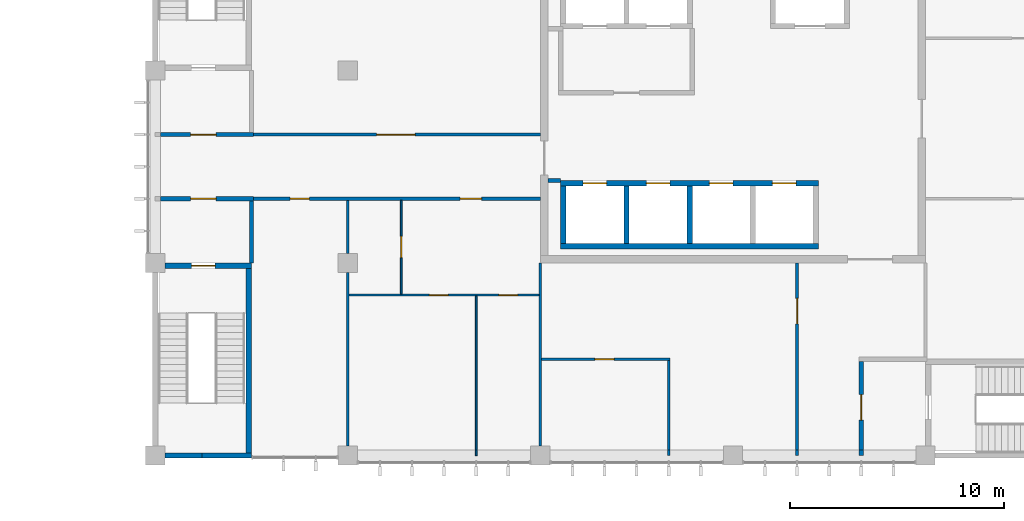
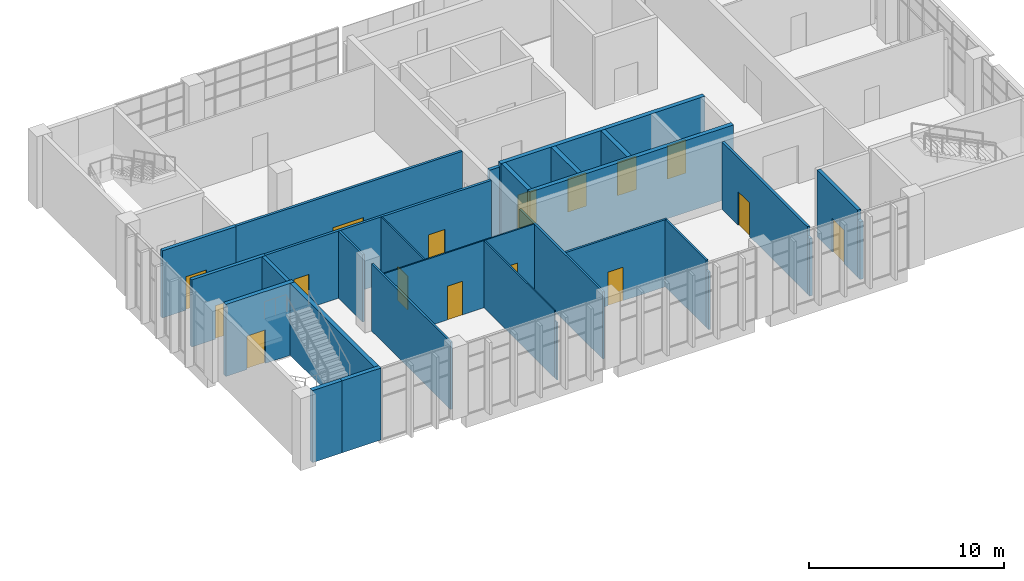
# One storey, part 58 of 79: 29 walls, 16 doors, 16 openings.
"""IFC4 building model written with IfcOpenShell, lengths in metres."""

import ifcopenshell
import ifcopenshell.guid

model = None  # the IFC model being written
_history = None  # IfcOwnerHistory: only IFC2X3 demands one
_inside = {}  # id of a spatial element -> (the spatial element, [elements in it])
_under = {}  # id of a project, library or spatial element -> (it, [spatial elements below it])
_declared = {}  # id of a project -> (the project, [libraries it declares])
_typed = {}  # id of a type object -> (the type object, [elements of that type])
_made_of = {}  # id of a material, layer set ... -> (it, [elements and type objects made of it])


def new_model(schema):
    """Start an empty IFC model of exactly this schema.

    Asked for "IFC4X3", IfcOpenShell would pick the latest addendum, in which some entities
    have other attributes; the version numbers below select the first issue.
    IFC2X3 requires an IfcOwnerHistory on every rooted entity: one is made here for all.
    """
    global model, _history
    if schema == "IFC4X3":
        model = ifcopenshell.file(schema_version=(4, 3, 0, 0))
    else:
        model = ifcopenshell.file(schema=schema)
    _inside.clear()
    _under.clear()
    _declared.clear()
    _typed.clear()
    _made_of.clear()
    _history = None
    if model.schema == "IFC2X3":
        org = make("IfcOrganization", Name="unknown")
        user = make(
            "IfcPersonAndOrganization",
            ThePerson=make("IfcPerson", FamilyName="unknown"),
            TheOrganization=org,
        )
        app = make(
            "IfcApplication",
            ApplicationDeveloper=org,
            Version="unknown",
            ApplicationFullName="unknown",
            ApplicationIdentifier="unknown",
        )
        _history = make(
            "IfcOwnerHistory",
            OwningUser=user,
            OwningApplication=app,
            ChangeAction="ADDED",
            CreationDate=0,
        )
    return model


def make(cls, **values):
    """One entity of the class cls with the attributes given. An attribute that is None is left unset."""
    return model.create_entity(
        cls, **{name: value for name, value in values.items() if value is not None}
    )


def rooted(cls, **values):
    """An entity with a GlobalId (a new one), such as an element, a storey or a relation."""
    return make(cls, GlobalId=ifcopenshell.guid.new(), OwnerHistory=_history, **values)


def si_unit(unit_type, name, prefix=None):
    """IfcSIUnit, for example si_unit("LENGTHUNIT", "METRE", prefix="MILLI")."""
    return make("IfcSIUnit", UnitType=unit_type, Prefix=prefix, Name=name)


def assignment(units):
    """IfcUnitAssignment: the units of a project."""
    return None if units is None else make("IfcUnitAssignment", Units=units)


def point(xyz):
    """IfcCartesianPoint."""
    return None if xyz is None else make("IfcCartesianPoint", Coordinates=xyz)


def direction(xyz):
    """IfcDirection."""
    return None if xyz is None else make("IfcDirection", DirectionRatios=xyz)


def frame(location, z_axis=None, x_axis=None):
    """IfcAxis2Placement3D, a coordinate frame: its origin and axes. An axis left out is left unset."""
    return make(
        "IfcAxis2Placement3D",
        Location=point(location),
        Axis=direction(z_axis),
        RefDirection=direction(x_axis),
    )


def frame_2d(location, x_axis=None):
    """IfcAxis2Placement2D, a coordinate frame in the plane: its origin and x axis."""
    return make(
        "IfcAxis2Placement2D", Location=point(location), RefDirection=direction(x_axis)
    )


def origin():
    """The frame at (0, 0, 0) with its axes left unset."""
    return frame((0.0, 0.0, 0.0))


def place(relative_to, where):
    """IfcLocalPlacement: puts the frame where relative to a parent placement (None: the world)."""
    return make(
        "IfcLocalPlacement", PlacementRelTo=relative_to, RelativePlacement=where
    )


def context(
    kind, dimensions, precision=None, world=None, true_north=None, identifier=None
):
    """IfcGeometricRepresentationContext, for example the 3D "Model" context."""
    return make(
        "IfcGeometricRepresentationContext",
        ContextIdentifier=identifier,
        ContextType=kind,
        CoordinateSpaceDimension=dimensions,
        Precision=precision,
        WorldCoordinateSystem=world,
        TrueNorth=true_north,
    )


def subcontext(parent, identifier, kind, view, scale=None):
    """IfcGeometricRepresentationSubContext, for example "Body" below "Model"."""
    return make(
        "IfcGeometricRepresentationSubContext",
        ContextIdentifier=identifier,
        ContextType=kind,
        ParentContext=parent,
        TargetScale=scale,
        TargetView=view,
    )


def project(units=None, contexts=None):
    """IfcProject with its units and contexts."""
    return rooted(
        "IfcProject",
        Name="project",
        RepresentationContexts=contexts,
        UnitsInContext=assignment(units),
    )


def spatial(cls, under=None, at=None, **own):
    """A site, building, storey or space (cls), placed at a placement, below another one or the project."""
    s = rooted(cls, ObjectPlacement=at, **own)
    if under is not None:
        _under.setdefault(under.id(), (under, []))[1].append(s)
    return s


def profile(cls, at=None, kind="AREA", **sizes):
    """A parametric profile (cls). Its sizes go by their IFC names, for example OverallWidth=200.0."""
    return make(cls, ProfileType=kind, Position=at, **sizes)


def rectangle(**sizes):
    """IfcRectangleProfileDef."""
    return profile("IfcRectangleProfileDef", **sizes)


def extrude(swept, where, along, depth):
    """IfcExtrudedAreaSolid: the profile swept, set in the frame where, extruded along a direction by depth."""
    return make(
        "IfcExtrudedAreaSolid",
        SweptArea=swept,
        Position=where,
        ExtrudedDirection=direction(along),
        Depth=depth,
    )


def shape(context_of_items, identifier, shape_type, items):
    """IfcShapeRepresentation: the items that make up one representation, for example the "Body"."""
    return make(
        "IfcShapeRepresentation",
        ContextOfItems=context_of_items,
        RepresentationIdentifier=identifier,
        RepresentationType=shape_type,
        Items=items,
    )


def material(Name=None, Category=None):
    """IfcMaterial."""
    return make("IfcMaterial", Name=Name, Category=Category)


def layer(
    of_material, thickness, ventilated=None, Name=None, Category=None, Priority=None
):
    """IfcMaterialLayer: one layer of a wall or slab, of a material (None: an air gap)."""
    return make(
        "IfcMaterialLayer",
        Material=of_material,
        LayerThickness=thickness,
        IsVentilated=ventilated,
        Name=Name,
        Category=Category,
        Priority=Priority,
    )


def layer_set(layers, Name=None):
    """IfcMaterialLayerSet."""
    return make("IfcMaterialLayerSet", MaterialLayers=layers, LayerSetName=Name)


def made_of(thing, what):
    """Note that an element or type object is made of a material, layer set ...; save() writes the relation."""
    if what is not None:
        _made_of.setdefault(what.id(), (what, []))[1].append(thing)
    return thing


def type_object(cls, material=None, **own):
    """A type object (cls), such as IfcWallType, which elements share."""
    return made_of(rooted(cls, **own), material)


def element(
    cls,
    number,
    at=None,
    inside=None,
    cuts=None,
    type_object=None,
    material=None,
    context=None,
    identifier="Body",
    shape_type=None,
    held_by="IfcProductDefinitionShape",
    body=None,
    shapes=None,
    **own,
):
    """One element of the class cls, such as IfcWall. Its Tag is "e" and its number.

    at: its placement. inside: the storey or other place that contains it. cuts: it is an
    opening in that element (IfcRelVoidsElement). A single representation is given by context,
    identifier, shape_type and body (its items); several are given by shapes. held_by: the class
    of the entity that holds the representations. save() writes the other relations.
    """
    e = rooted(cls, Tag="e%d" % number, ObjectPlacement=at, **own)
    if body is not None:
        shapes = [shape(context, identifier, shape_type, body)]
    if shapes is not None:
        e.Representation = make(held_by, Representations=shapes)
    if inside is not None:
        _inside.setdefault(inside.id(), (inside, []))[1].append(e)
    if cuts is not None:
        rooted(
            "IfcRelVoidsElement", RelatingBuildingElement=cuts, RelatedOpeningElement=e
        )
    if type_object is not None:
        _typed.setdefault(type_object.id(), (type_object, []))[1].append(e)
    return made_of(e, material)


def fill(opening, filler):
    """IfcRelFillsElement: the door or window that sits in an opening."""
    return rooted(
        "IfcRelFillsElement",
        RelatingOpeningElement=opening,
        RelatedBuildingElement=filler,
    )


def aggregate(whole, parts):
    """IfcRelAggregates: a whole, such as a stair, and the parts it consists of."""
    return rooted("IfcRelAggregates", RelatingObject=whole, RelatedObjects=parts)


def save(model, path):
    """Write the relations noted so far, then the file.

    IfcRelAggregates (storeys below a building ...), IfcRelContainedInSpatialStructure (elements
    in a storey), IfcRelDefinesByType, IfcRelAssociatesMaterial and IfcRelDeclares: one each for
    every whole, place, type object, material and project.
    """
    for whole, parts in _under.values():
        aggregate(whole, parts)
    for where, things in _inside.values():
        rooted(
            "IfcRelContainedInSpatialStructure",
            RelatedElements=things,
            RelatingStructure=where,
        )
    for kind, things in _typed.values():
        rooted("IfcRelDefinesByType", RelatedObjects=things, RelatingType=kind)
    for what, things in _made_of.values():
        rooted("IfcRelAssociatesMaterial", RelatedObjects=things, RelatingMaterial=what)
    for by, libraries in _declared.values():
        rooted("IfcRelDeclares", RelatingContext=by, RelatedDefinitions=libraries)
    model.write(path)


model = new_model("IFC4")

# Units and contexts
model_context = context("Model", 3, precision=1e-05, world=origin(), true_north=direction((0.0, 1.0)))
body_context = subcontext(model_context, "Body", "Model", "MODEL_VIEW")
ifc_project = project(units=[si_unit("LENGTHUNIT", "METRE"), si_unit("AREAUNIT", "SQUARE_METRE"), si_unit("VOLUMEUNIT", "CUBIC_METRE"), si_unit("PLANEANGLEUNIT", "RADIAN"), si_unit("MASSUNIT", "GRAM", prefix="KILO")], contexts=[model_context])

# Site, building, storey
site_placement = place(None, origin())
site = spatial("IfcSite", under=ifc_project, at=site_placement, CompositionType="ELEMENT")
building_placement = place(site_placement, origin())
building = spatial("IfcBuilding", under=site, at=building_placement, Name="Guidao Yard Department Store", CompositionType="ELEMENT")
storey_placement = place(building_placement, frame((0.0, 0.0, 15.0)))
storey = spatial("IfcBuildingStorey", under=building, at=storey_placement, Name="L03", CompositionType="ELEMENT", Elevation=15.0)

# Wall, openings, doors
ifc_material_1 = material(Name="Gypsum Board")
ifc_layer_1 = layer(ifc_material_1, 0.14990234375)
ifc_layer_set_1 = layer_set([ifc_layer_1], Name="Corridor Partition 150 Gypsum Board EI 60")
wall_type_1 = type_object("IfcWallType", Name="Corridor Partition 150 Gypsum Board EI 60", PredefinedType="PARTITIONING", material=ifc_layer_set_1)
wall_1_placement = place(storey_placement, frame((130.39990234375, 12.0, 0.0), z_axis=(0.0, 0.0, 1.0), x_axis=(1.0, 0.0, 0.0)))
wall_1 = element("IfcWall", 1, at=wall_1_placement, inside=storey, type_object=wall_type_1, Name="pt.wall.L03.0006", PredefinedType="PARTITIONING", context=body_context, shape_type="SweptSolid", body=[
    extrude(rectangle(XDim=13.60009765625, YDim=0.14990234375, at=frame_2d((6.800048828125, 0.0))), origin(), (0.0, 0.0, 1.0), 4.199951171875),
])
opening_1_placement = place(wall_1_placement, frame((10.85009765625, 0.0, 0.0), z_axis=(0.0, 0.0, 1.0), x_axis=(-1.0, 0.0, 0.0)))
opening_1 = element("IfcOpeningElement", 2, at=opening_1_placement, cuts=wall_1, Name="Opening L03-407", PredefinedType="OPENING", context=body_context, shape_type="SweptSolid", body=[
    extrude(rectangle(XDim=1.0, YDim=2.10009765625, at=frame_2d((0.5, 1.050048828125))), frame((0.0, 0.0849609375, 0.0), z_axis=(0.0, -1.0, 0.0), x_axis=(1.0, 0.0, 0.0)), (0.0, 0.0, 1.0), 0.169921875),
])
opening_2_placement = place(wall_1_placement, frame((2.7998046875, 0.0, 0.0), z_axis=(0.0, 0.0, 1.0), x_axis=(-1.0, 0.0, 0.0)))
opening_2 = element("IfcOpeningElement", 3, at=opening_2_placement, cuts=wall_1, Name="Opening L03-411", PredefinedType="OPENING", context=body_context, shape_type="SweptSolid", body=[
    extrude(rectangle(XDim=0.89990234375, YDim=2.10009765625, at=frame_2d((0.449951171875, 1.050048828125))), frame((0.0, 0.0849609375, 0.0), z_axis=(0.0, -1.0, 0.0), x_axis=(1.0, 0.0, 0.0)), (0.0, 0.0, 1.0), 0.169921875),
])
ifc_material_2 = material(Name="Timber door leaf with Steel Q235 frame", Category="steel")
door_type_1 = type_object("IfcDoorType", Name="Door 1000 x 2100 FD30 Single Leaf", OperationType="SINGLE_SWING_LEFT", PredefinedType="DOOR", material=ifc_material_2)
door_1_placement = place(opening_1_placement, origin())
door_1 = element("IfcDoor", 4, at=door_1_placement, inside=storey, type_object=door_type_1, Name="Door L03-407", OperationType="SINGLE_SWING_LEFT", OverallHeight=2.10009765625, OverallWidth=1.0, PredefinedType="DOOR", context=body_context, shape_type="SweptSolid", body=[
    extrude(rectangle(XDim=1.0, YDim=2.10009765625, at=frame_2d((0.5, 1.050048828125))), frame((0.0, 0.02490234375, 0.0), z_axis=(0.0, -1.0, 0.0), x_axis=(1.0, 0.0, 0.0)), (0.0, 0.0, 1.0), 0.050048828125),
])
fill(opening_1, door_1)
ifc_material_3 = material(Name="Timber door leaf with Steel Q235 frame", Category="steel")
door_type_2 = type_object("IfcDoorType", Name="Door 900 x 2100 FD30 Single Leaf", OperationType="SINGLE_SWING_LEFT", PredefinedType="DOOR", material=ifc_material_3)
door_2_placement = place(opening_2_placement, origin())
door_2 = element("IfcDoor", 5, at=door_2_placement, inside=storey, type_object=door_type_2, Name="Door L03-411", OperationType="SINGLE_SWING_RIGHT", OverallHeight=2.10009765625, OverallWidth=0.89990234375, PredefinedType="DOOR", context=body_context, shape_type="SweptSolid", body=[
    extrude(rectangle(XDim=0.89990234375, YDim=2.10009765625, at=frame_2d((0.449951171875, 1.050048828125))), frame((0.0, 0.02490234375, 0.0), z_axis=(0.0, -1.0, 0.0), x_axis=(1.0, 0.0, 0.0)), (0.0, 0.0, 1.0), 0.050048828125),
])
fill(opening_2, door_2)

# Wall, opening, door
wall_2_placement = place(storey_placement, frame((130.39990234375, 15.0, 0.0), z_axis=(0.0, 0.0, 1.0), x_axis=(1.0, 0.0, 0.0)))
wall_2 = element("IfcWall", 6, at=wall_2_placement, inside=storey, type_object=wall_type_1, Name="pt.wall.L03.0010", PredefinedType="PARTITIONING", context=body_context, shape_type="SweptSolid", body=[
    extrude(rectangle(XDim=13.60009765625, YDim=0.14990234375, at=frame_2d((6.800048828125, 0.0))), origin(), (0.0, 0.0, 1.0), 4.199951171875),
])
opening_3_placement = place(wall_2_placement, frame((5.949951171875, 0.0, 0.0)))
opening_3 = element("IfcOpeningElement", 7, at=opening_3_placement, cuts=wall_2, Name="Opening L03-412", PredefinedType="OPENING", context=body_context, shape_type="SweptSolid", body=[
    extrude(rectangle(XDim=1.800048828125, YDim=2.10009765625, at=frame_2d((0.89990234375, 1.050048828125))), frame((0.0, 0.0849609375, 0.0), z_axis=(0.0, -1.0, 0.0), x_axis=(1.0, 0.0, 0.0)), (0.0, 0.0, 1.0), 0.169921875),
])
ifc_material_4 = material(Name="Timber door leaf with Steel Q235 frame", Category="steel")
door_type_3 = type_object("IfcDoorType", Name="Door 1800 x 2100 FD30 Double Leaf", OperationType="DOUBLE_DOOR_SINGLE_SWING", PredefinedType="DOOR", material=ifc_material_4)
door_3_placement = place(opening_3_placement, origin())
door_3 = element("IfcDoor", 8, at=door_3_placement, inside=storey, type_object=door_type_3, Name="Door L03-412", OperationType="DOUBLE_DOOR_SINGLE_SWING", OverallHeight=2.10009765625, OverallWidth=1.800048828125, PredefinedType="DOOR", context=body_context, shape_type="SweptSolid", body=[
    extrude(rectangle(XDim=1.800048828125, YDim=2.10009765625, at=frame_2d((0.89990234375, 1.050048828125))), frame((0.0, 0.02490234375, 0.0), z_axis=(0.0, -1.0, 0.0), x_axis=(1.0, 0.0, 0.0)), (0.0, 0.0, 1.0), 0.050048828125),
])
fill(opening_3, door_3)

# Wall
wall_3_placement = place(storey_placement, frame((156.0, 0.0, 0.0), z_axis=(0.0, 0.0, 1.0), x_axis=(0.0, 1.0, 0.0)))
element("IfcWall", 9, at=wall_3_placement, inside=storey, type_object=wall_type_1, Name="pt.wall.L03.0027", PredefinedType="PARTITIONING", context=body_context, shape_type="SweptSolid", body=[
    extrude(rectangle(XDim=0.25, YDim=0.14990234375, at=frame_2d((0.125, 0.0))), origin(), (0.0, 0.0, 1.0), 3.60009765625),
])

# Wall, opening, door
wall_4_placement = place(storey_placement, frame((156.0, 0.25, 0.0), z_axis=(0.0, 0.0, 1.0), x_axis=(0.0, 1.0, 0.0)))
wall_4 = element("IfcWall", 10, at=wall_4_placement, inside=storey, type_object=wall_type_1, Name="pt.wall.L03.0027a", PredefinedType="PARTITIONING", context=body_context, shape_type="SweptSolid", body=[
    extrude(rectangle(XDim=8.75, YDim=0.14990234375, at=frame_2d((4.375, 0.0))), origin(), (0.0, 0.0, 1.0), 4.199951171875),
])
opening_4_placement = place(wall_4_placement, frame((5.89990234375, 0.0, 0.0)))
opening_4 = element("IfcOpeningElement", 11, at=opening_4_placement, cuts=wall_4, Name="Opening L03-414", PredefinedType="OPENING", context=body_context, shape_type="SweptSolid", body=[
    extrude(rectangle(XDim=1.199951171875, YDim=2.10009765625, at=frame_2d((0.60009765625, 1.050048828125))), frame((0.0, 0.0849609375, 0.0), z_axis=(0.0, -1.0, 0.0), x_axis=(1.0, 0.0, 0.0)), (0.0, 0.0, 1.0), 0.169921875),
])
ifc_material_5 = material(Name="Timber door leaf with Steel Q235 frame", Category="steel")
door_type_4 = type_object("IfcDoorType", Name="Door 1200 x 2100 FD30 Single Leaf", OperationType="SINGLE_SWING_LEFT", PredefinedType="DOOR", material=ifc_material_5)
door_4_placement = place(opening_4_placement, origin())
door_4 = element("IfcDoor", 12, at=door_4_placement, inside=storey, type_object=door_type_4, Name="Door L03-414", OperationType="SINGLE_SWING_RIGHT", OverallHeight=2.10009765625, OverallWidth=1.199951171875, PredefinedType="DOOR", context=body_context, shape_type="SweptSolid", body=[
    extrude(rectangle(XDim=1.199951171875, YDim=2.10009765625, at=frame_2d((0.60009765625, 1.050048828125))), frame((0.0, 0.02490234375, 0.0), z_axis=(0.0, -1.0, 0.0), x_axis=(1.0, 0.0, 0.0)), (0.0, 0.0, 1.0), 0.050048828125),
])
fill(opening_4, door_4)

ifc_material_6 = material(Name="Gypsum Board")
ifc_layer_2 = layer(ifc_material_6, 0.1201171875)
ifc_layer_set_2 = layer_set([ifc_layer_2], Name="Partition 120 Gypsum Board EI 45")
wall_type_2 = type_object("IfcWallType", Name="Partition 120 Gypsum Board EI 45", PredefinedType="PARTITIONING", material=ifc_layer_set_2)
wall_5_placement = place(storey_placement, frame((144.06005859375, 4.5, 0.0), z_axis=(0.0, 0.0, 1.0), x_axis=(1.0, 0.0, 0.0)))
wall_5 = element("IfcWall", 13, at=wall_5_placement, inside=storey, type_object=wall_type_2, Name="pt.wall.L03.0001", PredefinedType="PARTITIONING", context=body_context, shape_type="SweptSolid", body=[
    extrude(rectangle(XDim=6.0, YDim=0.1201171875, at=frame_2d((3.0, 0.0))), origin(), (0.0, 0.0, 1.0), 4.199951171875),
])
opening_5_placement = place(wall_5_placement, frame((3.389892578125, 0.0, 0.0), z_axis=(0.0, 0.0, 1.0), x_axis=(-1.0, 0.0, 0.0)))
opening_5 = element("IfcOpeningElement", 14, at=opening_5_placement, cuts=wall_5, Name="Opening L03-415", PredefinedType="OPENING", context=body_context, shape_type="SweptSolid", body=[
    extrude(rectangle(XDim=0.89990234375, YDim=2.10009765625, at=frame_2d((0.449951171875, 1.050048828125))), frame((0.0, 0.070068359375, 0.0), z_axis=(0.0, -1.0, 0.0), x_axis=(1.0, 0.0, 0.0)), (0.0, 0.0, 1.0), 0.14013671875),
])
ifc_material_7 = material(Name="Timber door leaf with Steel Q235 frame", Category="steel")
door_type_5 = type_object("IfcDoorType", Name="Door 900 x 2100 NOT RATED Single Leaf", OperationType="SINGLE_SWING_LEFT", PredefinedType="DOOR", material=ifc_material_7)
door_5_placement = place(opening_5_placement, origin())
door_5 = element("IfcDoor", 15, at=door_5_placement, inside=storey, type_object=door_type_5, Name="Door L03-415", OperationType="SINGLE_SWING_RIGHT", OverallHeight=2.10009765625, OverallWidth=0.89990234375, PredefinedType="DOOR", context=body_context, shape_type="SweptSolid", body=[
    extrude(rectangle(XDim=0.89990234375, YDim=2.10009765625, at=frame_2d((0.449951171875, 1.050048828125))), frame((0.0, 0.02490234375, 0.0), z_axis=(0.0, -1.0, 0.0), x_axis=(1.0, 0.0, 0.0)), (0.0, 0.0, 1.0), 0.050048828125),
])
fill(opening_5, door_5)

# Walls
wall_6_placement = place(storey_placement, frame((135.0, 0.449951171875, 0.0), z_axis=(0.0, 0.0, 1.0), x_axis=(0.0, 1.0, 0.0)))
element("IfcWall", 16, at=wall_6_placement, inside=storey, type_object=wall_type_2, Name="pt.wall.L03.0018", PredefinedType="PARTITIONING", context=body_context, shape_type="SweptSolid", body=[
    extrude(rectangle(XDim=8.10009765625, YDim=0.1201171875, at=frame_2d((4.050048828125, 0.0))), origin(), (0.0, 0.0, 1.0), 4.199951171875),
])
wall_7_placement = place(storey_placement, frame((135.0, 9.449951171875, 0.0), z_axis=(0.0, 0.0, 1.0), x_axis=(0.0, 1.0, 0.0)))
element("IfcWall", 17, at=wall_7_placement, inside=storey, type_object=wall_type_2, Name="pt.wall.L03.0019", PredefinedType="PARTITIONING", context=body_context, shape_type="SweptSolid", body=[
    extrude(rectangle(XDim=2.47509765625, YDim=0.1201171875, at=frame_2d((1.237548828125, 0.0))), origin(), (0.0, 0.0, 1.0), 4.199951171875),
])
wall_8_placement = place(storey_placement, frame((144.0, 0.449951171875, 0.0), z_axis=(0.0, 0.0, 1.0), x_axis=(0.0, 1.0, 0.0)))
element("IfcWall", 18, at=wall_8_placement, inside=storey, type_object=wall_type_2, Name="pt.wall.L03.0022", PredefinedType="PARTITIONING", context=body_context, shape_type="SweptSolid", body=[
    extrude(rectangle(XDim=8.550048828125, YDim=0.1201171875, at=frame_2d((4.27490234375, 0.0))), origin(), (0.0, 0.0, 1.0), 4.199951171875),
])
wall_9_placement = place(storey_placement, frame((150.0, 0.0, 0.0), z_axis=(0.0, 0.0, 1.0), x_axis=(0.0, 1.0, 0.0)))
element("IfcWall", 19, at=wall_9_placement, inside=storey, type_object=wall_type_2, Name="pt.wall.L03.0025", PredefinedType="PARTITIONING", context=body_context, shape_type="SweptSolid", body=[
    extrude(rectangle(XDim=0.25, YDim=0.1201171875, at=frame_2d((0.125, 0.0))), origin(), (0.0, 0.0, 1.0), 3.60009765625),
])
wall_10_placement = place(storey_placement, frame((150.0, 0.25, 0.0), z_axis=(0.0, 0.0, 1.0), x_axis=(0.0, 1.0, 0.0)))
element("IfcWall", 20, at=wall_10_placement, inside=storey, type_object=wall_type_2, Name="pt.wall.L03.0025a", PredefinedType="PARTITIONING", context=body_context, shape_type="SweptSolid", body=[
    extrude(rectangle(XDim=4.18994140625, YDim=0.1201171875, at=frame_2d((2.094970703125, 0.0))), origin(), (0.0, 0.0, 1.0), 4.199951171875),
])

# Wall, openings, doors
ifc_material_8 = material(Name="Gypsum Board")
ifc_layer_3 = layer(ifc_material_8, 0.080078125)
ifc_layer_set_3 = layer_set([ifc_layer_3], Name="Sanitary Partition 80 Gypsum Board EI 45")
wall_type_3 = type_object("IfcWallType", Name="Sanitary Partition 80 Gypsum Board EI 45", PredefinedType="PARTITIONING", material=ifc_layer_set_3)
wall_11_placement = place(storey_placement, frame((135.06005859375, 7.5, 0.0), z_axis=(0.0, 0.0, 1.0), x_axis=(1.0, 0.0, 0.0)))
wall_11 = element("IfcWall", 21, at=wall_11_placement, inside=storey, type_object=wall_type_3, Name="pt.wall.L03.0003", PredefinedType="PARTITIONING", context=body_context, shape_type="SweptSolid", body=[
    extrude(rectangle(XDim=8.8798828125, YDim=0.080078125, at=frame_2d((4.43994140625, 0.0))), origin(), (0.0, 0.0, 1.0), 4.199951171875),
])
opening_6_placement = place(wall_11_placement, frame((4.639892578125, 0.0, 0.0), z_axis=(0.0, 0.0, 1.0), x_axis=(-1.0, 0.0, 0.0)))
opening_6 = element("IfcOpeningElement", 22, at=opening_6_placement, cuts=wall_11, Name="Opening L03-409", PredefinedType="OPENING", context=body_context, shape_type="SweptSolid", body=[
    extrude(rectangle(XDim=0.89990234375, YDim=2.10009765625, at=frame_2d((0.449951171875, 1.050048828125))), frame((0.0, 0.050048828125, 0.0), z_axis=(0.0, -1.0, 0.0), x_axis=(1.0, 0.0, 0.0)), (0.0, 0.0, 1.0), 0.10009765625),
])
opening_7_placement = place(wall_11_placement, frame((7.889892578125, 0.0, 0.0), z_axis=(0.0, 0.0, 1.0), x_axis=(-1.0, 0.0, 0.0)))
opening_7 = element("IfcOpeningElement", 23, at=opening_7_placement, cuts=wall_11, Name="Opening L03-410", PredefinedType="OPENING", context=body_context, shape_type="SweptSolid", body=[
    extrude(rectangle(XDim=0.89990234375, YDim=2.10009765625, at=frame_2d((0.449951171875, 1.050048828125))), frame((0.0, 0.050048828125, 0.0), z_axis=(0.0, -1.0, 0.0), x_axis=(1.0, 0.0, 0.0)), (0.0, 0.0, 1.0), 0.10009765625),
])
door_6_placement = place(opening_6_placement, origin())
door_6 = element("IfcDoor", 24, at=door_6_placement, inside=storey, type_object=door_type_5, Name="Door L03-409", OperationType="SINGLE_SWING_RIGHT", OverallHeight=2.10009765625, OverallWidth=0.89990234375, PredefinedType="DOOR", context=body_context, shape_type="SweptSolid", body=[
    extrude(rectangle(XDim=0.89990234375, YDim=2.10009765625, at=frame_2d((0.449951171875, 1.050048828125))), frame((0.0, 0.02490234375, 0.0), z_axis=(0.0, -1.0, 0.0), x_axis=(1.0, 0.0, 0.0)), (0.0, 0.0, 1.0), 0.050048828125),
])
fill(opening_6, door_6)
door_7_placement = place(opening_7_placement, origin())
door_7 = element("IfcDoor", 25, at=door_7_placement, inside=storey, type_object=door_type_5, Name="Door L03-410", OperationType="SINGLE_SWING_LEFT", OverallHeight=2.10009765625, OverallWidth=0.89990234375, PredefinedType="DOOR", context=body_context, shape_type="SweptSolid", body=[
    extrude(rectangle(XDim=0.89990234375, YDim=2.10009765625, at=frame_2d((0.449951171875, 1.050048828125))), frame((0.0, 0.02490234375, 0.0), z_axis=(0.0, -1.0, 0.0), x_axis=(1.0, 0.0, 0.0)), (0.0, 0.0, 1.0), 0.050048828125),
])
fill(opening_7, door_7)

# Wall, opening, door
wall_12_placement = place(storey_placement, frame((137.5, 7.5400390625, 0.0), z_axis=(0.0, 0.0, 1.0), x_axis=(0.0, 1.0, 0.0)))
wall_12 = element("IfcWall", 26, at=wall_12_placement, inside=storey, type_object=wall_type_3, Name="pt.wall.L03.0020", PredefinedType="PARTITIONING", context=body_context, shape_type="SweptSolid", body=[
    extrude(rectangle(XDim=4.385009765625, YDim=0.080078125, at=frame_2d((2.1923828125, 0.0))), origin(), (0.0, 0.0, 1.0), 4.199951171875),
])
opening_8_placement = place(wall_12_placement, frame((1.7099609375, 0.0, 0.0)))
opening_8 = element("IfcOpeningElement", 27, at=opening_8_placement, cuts=wall_12, Name="Opening L03-408", PredefinedType="OPENING", context=body_context, shape_type="SweptSolid", body=[
    extrude(rectangle(XDim=1.0, YDim=2.10009765625, at=frame_2d((0.5, 1.050048828125))), frame((0.0, 0.050048828125, 0.0), z_axis=(0.0, -1.0, 0.0), x_axis=(1.0, 0.0, 0.0)), (0.0, 0.0, 1.0), 0.10009765625),
])
ifc_material_9 = material(Name="Timber door leaf with Steel Q235 frame", Category="steel")
door_type_6 = type_object("IfcDoorType", Name="Door 1000 x 2100 NOT RATED Single Leaf", OperationType="SINGLE_SWING_LEFT", PredefinedType="DOOR", material=ifc_material_9)
door_8_placement = place(opening_8_placement, origin())
door_8 = element("IfcDoor", 28, at=door_8_placement, inside=storey, type_object=door_type_6, Name="Door L03-408", OperationType="SINGLE_SWING_RIGHT", OverallHeight=2.10009765625, OverallWidth=1.0, PredefinedType="DOOR", context=body_context, shape_type="SweptSolid", body=[
    extrude(rectangle(XDim=1.0, YDim=2.10009765625, at=frame_2d((0.5, 1.050048828125))), frame((0.0, 0.02490234375, 0.0), z_axis=(0.0, -1.0, 0.0), x_axis=(1.0, 0.0, 0.0)), (0.0, 0.0, 1.0), 0.050048828125),
])
fill(opening_8, door_8)

# Walls
wall_13_placement = place(storey_placement, frame((141.0, 0.0, 0.0), z_axis=(0.0, 0.0, 1.0), x_axis=(0.0, 1.0, 0.0)))
element("IfcWall", 29, at=wall_13_placement, inside=storey, type_object=wall_type_3, Name="pt.wall.L03.0021", PredefinedType="PARTITIONING", context=body_context, shape_type="SweptSolid", body=[
    extrude(rectangle(XDim=0.25, YDim=0.080078125, at=frame_2d((0.125, 0.0))), origin(), (0.0, 0.0, 1.0), 3.60009765625),
])
wall_14_placement = place(storey_placement, frame((141.0, 0.25, 0.0), z_axis=(0.0, 0.0, 1.0), x_axis=(0.0, 1.0, 0.0)))
element("IfcWall", 30, at=wall_14_placement, inside=storey, type_object=wall_type_3, Name="pt.wall.L03.0021a", PredefinedType="PARTITIONING", context=body_context, shape_type="SweptSolid", body=[
    extrude(rectangle(XDim=7.2099609375, YDim=0.080078125, at=frame_2d((3.60498046875, 0.0))), origin(), (0.0, 0.0, 1.0), 4.199951171875),
])

# Wall, opening, door
ifc_material_10 = material(Name="Autoclaved aerated concrete block A3.5 B06", Category="concrete")
ifc_layer_4 = layer(ifc_material_10, 0.199951171875)
ifc_layer_set_4 = layer_set([ifc_layer_4], Name="Shaft Wall 200 Autoclaved Block EI 120")
wall_type_4 = type_object("IfcWallType", Name="Shaft Wall 200 Autoclaved Block EI 120", PredefinedType="PARTITIONING", material=ifc_layer_set_4)
wall_15_placement = place(storey_placement, frame((126.25, 12.0, 0.0), z_axis=(0.0, 0.0, 1.0), x_axis=(1.0, 0.0, 0.0)))
wall_15 = element("IfcWall", 31, at=wall_15_placement, inside=storey, type_object=wall_type_4, Name="pt.wall.L03.0005a", PredefinedType="PARTITIONING", context=body_context, shape_type="SweptSolid", body=[
    extrude(rectangle(XDim=4.35009765625, YDim=0.199951171875, at=frame_2d((2.175048828125, 0.0))), origin(), (0.0, 0.0, 1.0), 4.199951171875),
])
opening_9_placement = place(wall_15_placement, frame((2.599853515625, 0.0, 0.0), z_axis=(0.0, 0.0, 1.0), x_axis=(-1.0, 0.0, 0.0)))
opening_9 = element("IfcOpeningElement", 32, at=opening_9_placement, cuts=wall_15, Name="Opening L03-401", PredefinedType="OPENING", context=body_context, shape_type="SweptSolid", body=[
    extrude(rectangle(XDim=1.199951171875, YDim=2.10009765625, at=frame_2d((0.60009765625, 1.050048828125))), frame((0.0, 0.10986328125, 0.0), z_axis=(0.0, -1.0, 0.0), x_axis=(1.0, 0.0, 0.0)), (0.0, 0.0, 1.0), 0.219970703125),
])
ifc_material_11 = material(Name="Timber door leaf with Steel Q235 frame", Category="steel")
door_type_7 = type_object("IfcDoorType", Name="Door 1200 x 2100 FD60 Single Leaf", OperationType="SINGLE_SWING_LEFT", PredefinedType="DOOR", material=ifc_material_11)
door_9_placement = place(opening_9_placement, origin())
door_9 = element("IfcDoor", 33, at=door_9_placement, inside=storey, type_object=door_type_7, Name="Door L03-401", OperationType="SINGLE_SWING_RIGHT", OverallHeight=2.10009765625, OverallWidth=1.199951171875, PredefinedType="DOOR", context=body_context, shape_type="SweptSolid", body=[
    extrude(rectangle(XDim=1.199951171875, YDim=2.10009765625, at=frame_2d((0.60009765625, 1.050048828125))), frame((0.0, 0.02490234375, 0.0), z_axis=(0.0, -1.0, 0.0), x_axis=(1.0, 0.0, 0.0)), (0.0, 0.0, 1.0), 0.050048828125),
])
fill(opening_9, door_9)

# Wall
wall_16_placement = place(storey_placement, frame((144.35009765625, 12.85009765625, 0.0), z_axis=(0.0, 0.0, 1.0), x_axis=(1.0, 0.0, 0.0)))
element("IfcWall", 34, at=wall_16_placement, inside=storey, type_object=wall_type_4, Name="pt.wall.L03.0008", PredefinedType="PARTITIONING", context=body_context, shape_type="SweptSolid", body=[
    extrude(rectangle(XDim=0.599853515625, YDim=0.199951171875, at=frame_2d((0.2998046875, 0.0))), origin(), (0.0, 0.0, 1.0), 4.199951171875),
])

# Wall, opening, door
wall_17_placement = place(storey_placement, frame((126.25, 15.0, 0.0), z_axis=(0.0, 0.0, 1.0), x_axis=(1.0, 0.0, 0.0)))
wall_17 = element("IfcWall", 35, at=wall_17_placement, inside=storey, type_object=wall_type_4, Name="pt.wall.L03.0009a", PredefinedType="PARTITIONING", context=body_context, shape_type="SweptSolid", body=[
    extrude(rectangle(XDim=4.35009765625, YDim=0.199951171875, at=frame_2d((2.175048828125, 0.0))), origin(), (0.0, 0.0, 1.0), 4.199951171875),
])
opening_10_placement = place(wall_17_placement, frame((1.39990234375, 0.0, 0.0)))
opening_10 = element("IfcOpeningElement", 36, at=opening_10_placement, cuts=wall_17, Name="Opening L03-403", PredefinedType="OPENING", context=body_context, shape_type="SweptSolid", body=[
    extrude(rectangle(XDim=1.199951171875, YDim=2.10009765625, at=frame_2d((0.60009765625, 1.050048828125))), frame((0.0, 0.10986328125, 0.0), z_axis=(0.0, -1.0, 0.0), x_axis=(1.0, 0.0, 0.0)), (0.0, 0.0, 1.0), 0.219970703125),
])
door_10_placement = place(opening_10_placement, origin())
door_10 = element("IfcDoor", 37, at=door_10_placement, inside=storey, type_object=door_type_7, Name="Door L03-403", OperationType="SINGLE_SWING_LEFT", OverallHeight=2.10009765625, OverallWidth=1.199951171875, PredefinedType="DOOR", context=body_context, shape_type="SweptSolid", body=[
    extrude(rectangle(XDim=1.199951171875, YDim=2.10009765625, at=frame_2d((0.60009765625, 1.050048828125))), frame((0.0, 0.02490234375, 0.0), z_axis=(0.0, -1.0, 0.0), x_axis=(1.0, 0.0, 0.0)), (0.0, 0.0, 1.0), 0.050048828125),
])
fill(opening_10, door_10)

# Walls
wall_18_placement = place(storey_placement, frame((130.5, 9.0, 0.0), z_axis=(0.0, 0.0, 1.0), x_axis=(0.0, 1.0, 0.0)))
element("IfcWall", 38, at=wall_18_placement, inside=storey, type_object=wall_type_4, Name="pt.wall.L03.0016", PredefinedType="PARTITIONING", context=body_context, shape_type="SweptSolid", body=[
    extrude(rectangle(XDim=2.89990234375, YDim=0.199951171875, at=frame_2d((1.449951171875, 0.0))), origin(), (0.0, 0.0, 1.0), 4.199951171875),
])
wall_19_placement = place(storey_placement, frame((159.0, 0.0, 0.0), z_axis=(0.0, 0.0, 1.0), x_axis=(0.0, 1.0, 0.0)))
element("IfcWall", 39, at=wall_19_placement, inside=storey, type_object=wall_type_4, Name="pt.wall.L03.0028", PredefinedType="PARTITIONING", context=body_context, shape_type="SweptSolid", body=[
    extrude(rectangle(XDim=0.25, YDim=0.199951171875, at=frame_2d((0.125, 0.0))), origin(), (0.0, 0.0, 1.0), 3.60009765625),
])

# Wall, opening, door
wall_20_placement = place(storey_placement, frame((159.0, 0.25, 0.0), z_axis=(0.0, 0.0, 1.0), x_axis=(0.0, 1.0, 0.0)))
wall_20 = element("IfcWall", 40, at=wall_20_placement, inside=storey, type_object=wall_type_4, Name="pt.wall.L03.0028a", PredefinedType="PARTITIONING", context=body_context, shape_type="SweptSolid", body=[
    extrude(rectangle(XDim=4.14990234375, YDim=0.199951171875, at=frame_2d((2.074951171875, 0.0))), origin(), (0.0, 0.0, 1.0), 4.199951171875),
])
opening_11_placement = place(wall_20_placement, frame((2.599853515625, 0.0, 0.0), z_axis=(0.0, 0.0, 1.0), x_axis=(-1.0, 0.0, 0.0)))
opening_11 = element("IfcOpeningElement", 41, at=opening_11_placement, cuts=wall_20, Name="Opening L03-402", PredefinedType="OPENING", context=body_context, shape_type="SweptSolid", body=[
    extrude(rectangle(XDim=1.199951171875, YDim=2.10009765625, at=frame_2d((0.60009765625, 1.050048828125))), frame((0.0, 0.10986328125, 0.0), z_axis=(0.0, -1.0, 0.0), x_axis=(1.0, 0.0, 0.0)), (0.0, 0.0, 1.0), 0.219970703125),
])
door_11_placement = place(opening_11_placement, origin())
door_11 = element("IfcDoor", 42, at=door_11_placement, inside=storey, type_object=door_type_7, Name="Door L03-402", OperationType="SINGLE_SWING_RIGHT", OverallHeight=2.10009765625, OverallWidth=1.199951171875, PredefinedType="DOOR", context=body_context, shape_type="SweptSolid", body=[
    extrude(rectangle(XDim=1.199951171875, YDim=2.10009765625, at=frame_2d((0.60009765625, 1.050048828125))), frame((0.0, 0.02490234375, 0.0), z_axis=(0.0, -1.0, 0.0), x_axis=(1.0, 0.0, 0.0)), (0.0, 0.0, 1.0), 0.050048828125),
])
fill(opening_11, door_11)

# Walls
ifc_material_12 = material(Name="Concrete C40", Category="concrete")
ifc_layer_5 = layer(ifc_material_12, 0.25)
ifc_layer_set_5 = layer_set([ifc_layer_5], Name="Wall RC 250 C40 stair and shaft")
wall_type_5 = type_object("IfcWallType", Name="Wall RC 250 C40 stair and shaft", PredefinedType="SHEAR", material=ifc_layer_set_5)
wall_21_placement = place(storey_placement, frame((126.449951171875, 0.0, 0.0), z_axis=(0.0, 0.0, 1.0), x_axis=(1.0, 0.0, 0.0)))
element("IfcWall", 43, at=wall_21_placement, inside=storey, type_object=wall_type_5, Name="Stair wall SO1", PredefinedType="SHEAR", context=body_context, shape_type="SweptSolid", body=[
    extrude(rectangle(XDim=1.738037109375, YDim=0.25, at=frame_2d((0.869140625, 0.0))), origin(), (0.0, 0.0, 1.0), 4.5),
])
wall_22_placement = place(storey_placement, frame((128.18798828125, 0.0, 0.0), z_axis=(0.0, 0.0, 1.0), x_axis=(1.0, 0.0, 0.0)))
element("IfcWall", 44, at=wall_22_placement, inside=storey, type_object=wall_type_5, Name="Stair wall SO1", PredefinedType="SHEAR", context=body_context, shape_type="SweptSolid", body=[
    extrude(rectangle(XDim=2.31201171875, YDim=0.25, at=frame_2d((1.156005859375, 0.0))), origin(), (0.0, 0.0, 1.0), 4.5),
])

# Wall, opening, door
wall_23_placement = place(storey_placement, frame((126.449951171875, 8.875, 0.0), z_axis=(0.0, 0.0, 1.0), x_axis=(1.0, 0.0, 0.0)))
wall_23 = element("IfcWall", 45, at=wall_23_placement, inside=storey, type_object=wall_type_5, Name="Stair wall SO1", PredefinedType="SHEAR", context=body_context, shape_type="SweptSolid", body=[
    extrude(rectangle(XDim=4.050048828125, YDim=0.25, at=frame_2d((2.02490234375, 0.0))), origin(), (0.0, 0.0, 1.0), 4.5),
])
opening_12_placement = place(wall_23_placement, frame((2.35009765625, 0.0, 0.0), z_axis=(0.0, 0.0, 1.0), x_axis=(-1.0, 0.0, 0.0)))
opening_12 = element("IfcOpeningElement", 46, at=opening_12_placement, cuts=wall_23, Name="Opening L03-812", PredefinedType="OPENING", context=body_context, shape_type="SweptSolid", body=[
    extrude(rectangle(XDim=1.10009765625, YDim=2.10009765625, at=frame_2d((0.550048828125, 1.050048828125))), frame((0.0, 0.135009765625, 0.0), z_axis=(0.0, -1.0, 0.0), x_axis=(1.0, 0.0, 0.0)), (0.0, 0.0, 1.0), 0.27001953125),
])
ifc_material_13 = material(Name="Steel Q235", Category="steel")
door_type_8 = type_object("IfcDoorType", Name="Door fire-resisting 1100 x 2100 FD60", OperationType="SINGLE_SWING_LEFT", PredefinedType="DOOR", material=ifc_material_13)
door_12_placement = place(opening_12_placement, origin())
door_12 = element("IfcDoor", 47, at=door_12_placement, inside=storey, type_object=door_type_8, Name="Stair O1 door L03", OperationType="SINGLE_SWING_RIGHT", OverallHeight=2.10009765625, OverallWidth=1.10009765625, PredefinedType="DOOR", context=body_context, shape_type="SweptSolid", body=[
    extrude(rectangle(XDim=1.10009765625, YDim=2.10009765625, at=frame_2d((0.550048828125, 1.050048828125))), frame((0.0, 0.02490234375, 0.0), z_axis=(0.0, -1.0, 0.0), x_axis=(1.0, 0.0, 0.0)), (0.0, 0.0, 1.0), 0.050048828125),
])
fill(opening_12, door_12)

# Wall
wall_24_placement = place(storey_placement, frame((130.375, 0.125, 0.0), z_axis=(0.0, 0.0, 1.0), x_axis=(0.0, 1.0, 0.0)))
element("IfcWall", 48, at=wall_24_placement, inside=storey, type_object=wall_type_5, Name="Stair wall SO1", PredefinedType="SHEAR", context=body_context, shape_type="SweptSolid", body=[
    extrude(rectangle(XDim=8.625, YDim=0.25, at=frame_2d((4.3125, 0.0))), origin(), (0.0, 0.0, 1.0), 4.5),
])

# Wall, openings, doors
wall_25_placement = place(storey_placement, frame((144.949951171875, 12.72509765625, 0.0), z_axis=(0.0, 0.0, 1.0), x_axis=(1.0, 0.0, 0.0)))
wall_25 = element("IfcWall", 49, at=wall_25_placement, inside=storey, type_object=wall_type_5, Name="Lift shaft wall OL1 to OL4", PredefinedType="SHEAR", context=body_context, shape_type="SweptSolid", body=[
    extrude(rectangle(XDim=12.050048828125, YDim=0.25, at=frame_2d((6.02490234375, 0.0))), origin(), (0.0, 0.0, 1.0), 4.5),
])
opening_13_placement = place(wall_25_placement, frame((1.050048828125, 0.0, 0.0)))
opening_13 = element("IfcOpeningElement", 50, at=opening_13_placement, cuts=wall_25, Name="Opening LD-OL1-L03", PredefinedType="OPENING", context=body_context, shape_type="SweptSolid", body=[
    extrude(rectangle(XDim=1.10009765625, YDim=2.10009765625, at=frame_2d((0.550048828125, 1.050048828125))), frame((0.0, 0.135009765625, 0.0), z_axis=(0.0, -1.0, 0.0), x_axis=(1.0, 0.0, 0.0)), (0.0, 0.0, 1.0), 0.27001953125),
])
opening_14_placement = place(wall_25_placement, frame((4.0, 0.0, 0.0)))
opening_14 = element("IfcOpeningElement", 51, at=opening_14_placement, cuts=wall_25, Name="Opening LD-OL2-L03", PredefinedType="OPENING", context=body_context, shape_type="SweptSolid", body=[
    extrude(rectangle(XDim=1.10009765625, YDim=2.10009765625, at=frame_2d((0.550048828125, 1.050048828125))), frame((0.0, 0.135009765625, 0.0), z_axis=(0.0, -1.0, 0.0), x_axis=(1.0, 0.0, 0.0)), (0.0, 0.0, 1.0), 0.27001953125),
])
opening_15_placement = place(wall_25_placement, frame((6.949951171875, 0.0, 0.0)))
opening_15 = element("IfcOpeningElement", 52, at=opening_15_placement, cuts=wall_25, Name="Opening LD-OL3-L03", PredefinedType="OPENING", context=body_context, shape_type="SweptSolid", body=[
    extrude(rectangle(XDim=1.10009765625, YDim=2.10009765625, at=frame_2d((0.550048828125, 1.050048828125))), frame((0.0, 0.135009765625, 0.0), z_axis=(0.0, -1.0, 0.0), x_axis=(1.0, 0.0, 0.0)), (0.0, 0.0, 1.0), 0.27001953125),
])
opening_16_placement = place(wall_25_placement, frame((9.89990234375, 0.0, 0.0)))
opening_16 = element("IfcOpeningElement", 53, at=opening_16_placement, cuts=wall_25, Name="Opening LD-OL4-L03", PredefinedType="OPENING", context=body_context, shape_type="SweptSolid", body=[
    extrude(rectangle(XDim=1.10009765625, YDim=2.10009765625, at=frame_2d((0.550048828125, 1.050048828125))), frame((0.0, 0.135009765625, 0.0), z_axis=(0.0, -1.0, 0.0), x_axis=(1.0, 0.0, 0.0)), (0.0, 0.0, 1.0), 0.27001953125),
])
ifc_material_14 = material(Name="Stainless steel 06Cr19Ni10", Category="steel")
door_type_9 = type_object("IfcDoorType", Name="Lift landing door fire-resisting sliding 1100 x 2100", OperationType="DOUBLE_DOOR_SLIDING", PredefinedType="DOOR", material=ifc_material_14)
door_13_placement = place(opening_13_placement, origin())
door_13 = element("IfcDoor", 54, at=door_13_placement, inside=storey, type_object=door_type_9, Name="Lift landing door OL1 L03", OperationType="DOUBLE_DOOR_SLIDING", OverallHeight=2.10009765625, OverallWidth=1.10009765625, PredefinedType="DOOR", context=body_context, shape_type="SweptSolid", body=[
    extrude(rectangle(XDim=1.10009765625, YDim=2.10009765625, at=frame_2d((0.550048828125, 1.050048828125))), frame((0.0, 0.02490234375, 0.0), z_axis=(0.0, -1.0, 0.0), x_axis=(1.0, 0.0, 0.0)), (0.0, 0.0, 1.0), 0.050048828125),
])
fill(opening_13, door_13)
door_14_placement = place(opening_14_placement, origin())
door_14 = element("IfcDoor", 55, at=door_14_placement, inside=storey, type_object=door_type_9, Name="Lift landing door OL2 L03", OperationType="DOUBLE_DOOR_SLIDING", OverallHeight=2.10009765625, OverallWidth=1.10009765625, PredefinedType="DOOR", context=body_context, shape_type="SweptSolid", body=[
    extrude(rectangle(XDim=1.10009765625, YDim=2.10009765625, at=frame_2d((0.550048828125, 1.050048828125))), frame((0.0, 0.02490234375, 0.0), z_axis=(0.0, -1.0, 0.0), x_axis=(1.0, 0.0, 0.0)), (0.0, 0.0, 1.0), 0.050048828125),
])
fill(opening_14, door_14)
door_15_placement = place(opening_15_placement, origin())
door_15 = element("IfcDoor", 56, at=door_15_placement, inside=storey, type_object=door_type_9, Name="Lift landing door OL3 L03", OperationType="DOUBLE_DOOR_SLIDING", OverallHeight=2.10009765625, OverallWidth=1.10009765625, PredefinedType="DOOR", context=body_context, shape_type="SweptSolid", body=[
    extrude(rectangle(XDim=1.10009765625, YDim=2.10009765625, at=frame_2d((0.550048828125, 1.050048828125))), frame((0.0, 0.02490234375, 0.0), z_axis=(0.0, -1.0, 0.0), x_axis=(1.0, 0.0, 0.0)), (0.0, 0.0, 1.0), 0.050048828125),
])
fill(opening_15, door_15)
door_16_placement = place(opening_16_placement, origin())
door_16 = element("IfcDoor", 57, at=door_16_placement, inside=storey, type_object=door_type_9, Name="Lift landing door OL4 L03", OperationType="DOUBLE_DOOR_SLIDING", OverallHeight=2.10009765625, OverallWidth=1.10009765625, PredefinedType="DOOR", context=body_context, shape_type="SweptSolid", body=[
    extrude(rectangle(XDim=1.10009765625, YDim=2.10009765625, at=frame_2d((0.550048828125, 1.050048828125))), frame((0.0, 0.02490234375, 0.0), z_axis=(0.0, -1.0, 0.0), x_axis=(1.0, 0.0, 0.0)), (0.0, 0.0, 1.0), 0.050048828125),
])
fill(opening_16, door_16)

# Walls
wall_26_placement = place(storey_placement, frame((144.949951171875, 9.77490234375, 0.0), z_axis=(0.0, 0.0, 1.0), x_axis=(1.0, 0.0, 0.0)))
element("IfcWall", 58, at=wall_26_placement, inside=storey, type_object=wall_type_5, Name="Lift shaft wall OL1 to OL4", PredefinedType="SHEAR", context=body_context, shape_type="SweptSolid", body=[
    extrude(rectangle(XDim=12.050048828125, YDim=0.25, at=frame_2d((6.02490234375, 0.0))), origin(), (0.0, 0.0, 1.0), 4.5),
])
for number, where, z_axis, x_axis, name in (
    (59, (145.074951171875, 9.89990234375, 0.0), (0.0, 0.0, 1.0), (0.0, 1.0, 0.0), "Lift shaft wall OL1 to OL4"),
    (60, (148.02490234375, 9.89990234375, 0.0), (0.0, 0.0, 1.0), (0.0, 1.0, 0.0), "Lift shaft wall OL1 to OL4"),
    (61, (150.97509765625, 9.89990234375, 0.0), (0.0, 0.0, 1.0), (0.0, 1.0, 0.0), "Lift shaft wall OL1 to OL4"),
):
    element("IfcWall", number, at=place(storey_placement, frame(where, z_axis=z_axis, x_axis=x_axis)), inside=storey, type_object=wall_type_5, Name=name, PredefinedType="SHEAR", context=body_context, shape_type="SweptSolid", body=[
        extrude(rectangle(XDim=2.7001953125, YDim=0.25, at=frame_2d((1.35009765625, 0.0))), origin(), (0.0, 0.0, 1.0), 4.5),
    ])

save(model, "model.ifc")
